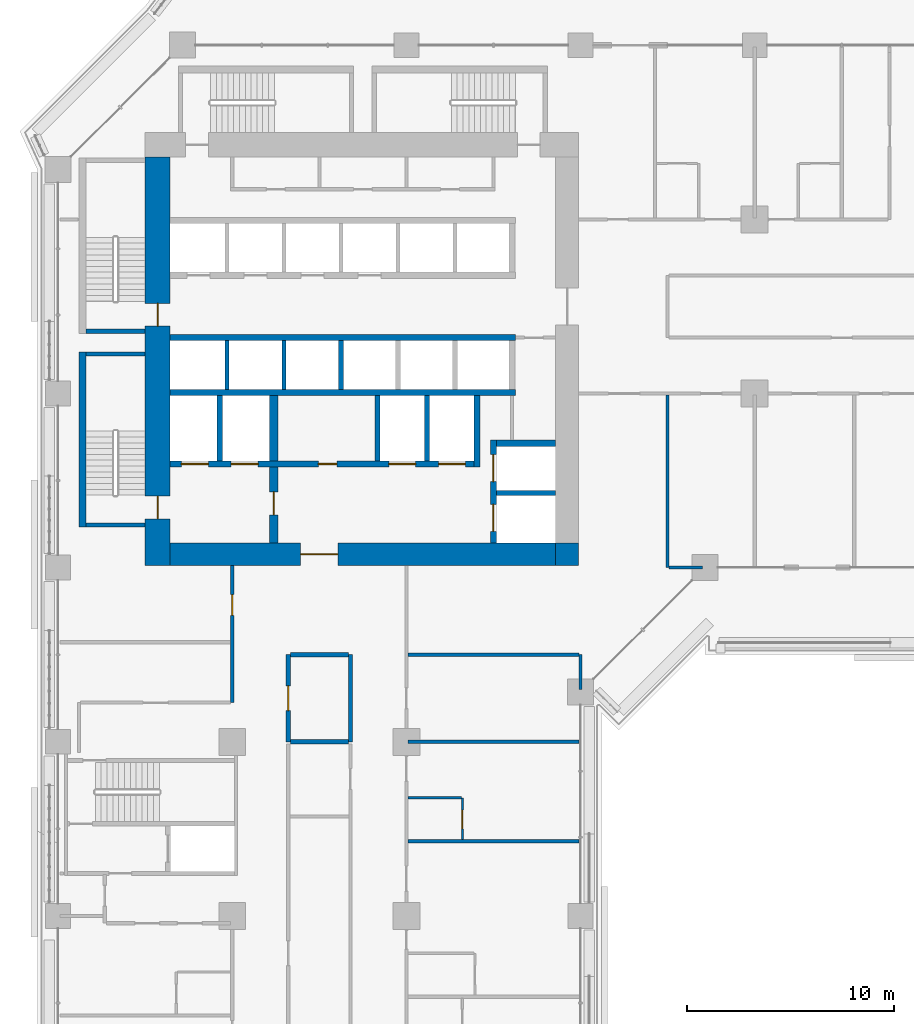
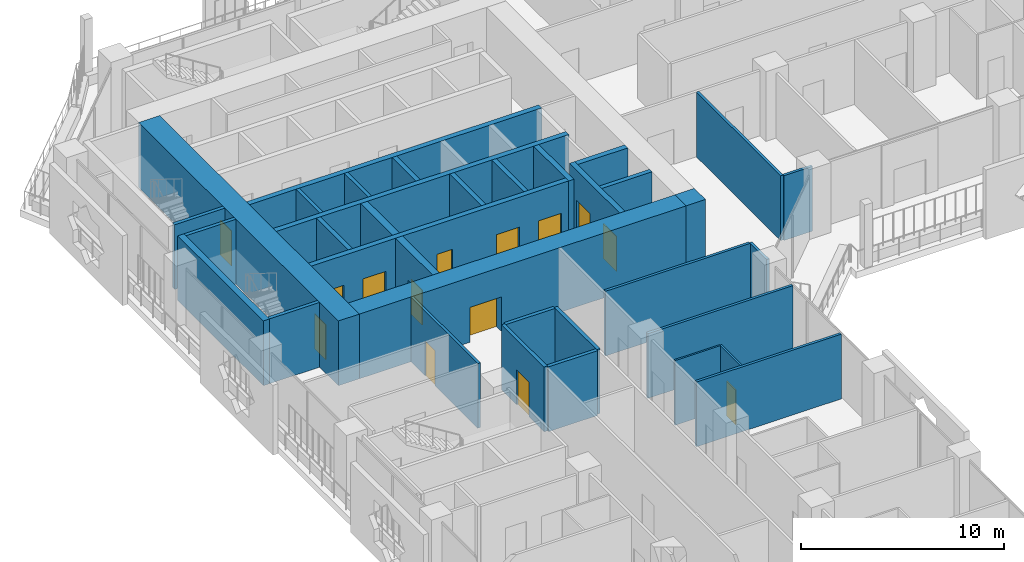
# One storey, part 15 of 28: 35 walls, 14 doors, 14 openings.
"""IFC4 building model written with IfcOpenShell, lengths in metres."""

from ifc_helpers import new_model, si_unit, direction, frame, frame_2d, origin, place, context, subcontext, project, spatial, rectangle, extrude, material, layer, layer_set, type_object, element, fill, save


model = new_model("IFC4")

# Units and contexts
model_context = context("Model", 3, precision=1e-05, world=origin(), true_north=direction((0.0, 1.0)))
body_context = subcontext(model_context, "Body", "Model", "MODEL_VIEW")
ifc_project = project(units=[si_unit("LENGTHUNIT", "METRE"), si_unit("AREAUNIT", "SQUARE_METRE"), si_unit("VOLUMEUNIT", "CUBIC_METRE"), si_unit("PLANEANGLEUNIT", "RADIAN"), si_unit("MASSUNIT", "GRAM", prefix="KILO")], contexts=[model_context])

# Site, building, storey
site_placement = place(None, origin())
site = spatial("IfcSite", under=ifc_project, at=site_placement, CompositionType="ELEMENT")
building_placement = place(site_placement, origin())
building = spatial("IfcBuilding", under=site, at=building_placement, Name="Kawkab Arch Medical Tower", CompositionType="ELEMENT")
storey_placement = place(building_placement, frame((0.0, 0.0, 81.199951171875)))
storey = spatial("IfcBuildingStorey", under=building, at=storey_placement, Name="L18", CompositionType="ELEMENT", Elevation=81.199951171875)

# Wall, opening, door
ifc_material_1 = material(Name="Concrete C60/75", Category="concrete")
ifc_layer_1 = layer(ifc_material_1, 1.10009765625)
ifc_layer_set_1 = layer_set([ifc_layer_1], Name="Concrete C60/75")
wall_type_1 = type_object("IfcWallType", Name="Core ring wall 1100 C60/75", PredefinedType="SHEAR", material=ifc_layer_set_1)
wall_1_placement = place(storey_placement, frame((5.39990234375, -24.550048828125, 0.0), z_axis=(0.0, 0.0, 1.0), x_axis=(1.0, 0.0, 0.0)))
wall_1 = element("IfcWall", 1, at=wall_1_placement, inside=storey, type_object=wall_type_1, Name="L18 core wall", PredefinedType="SHEAR", context=body_context, shape_type="SweptSolid", body=[
    extrude(rectangle(XDim=18.60009765625, YDim=1.10009765625, at=frame_2d((9.300048828125, 0.0))), origin(), (0.0, 0.0, 1.0), 3.900146484375),
])
opening_1_placement = place(wall_1_placement, frame((6.300048828125, 0.0, 0.0)))
opening_1 = element("IfcOpeningElement", 2, at=opening_1_placement, cuts=wall_1, Name="Opening PD", PredefinedType="OPENING", context=body_context, shape_type="SweptSolid", body=[
    extrude(rectangle(XDim=1.800048828125, YDim=2.10009765625, at=frame_2d((0.89990234375, 1.050048828125))), frame((0.0, 0.56005859375, 0.0), z_axis=(0.0, -1.0, 0.0), x_axis=(1.0, 0.0, 0.0)), (0.0, 0.0, 1.0), 1.1201171875),
])
ifc_material_2 = material(Name="Hollow metal fire door leaf")
door_type_1 = type_object("IfcDoorType", Name="Core entrance doors 1800", OperationType="DOUBLE_DOOR_SINGLE_SWING", PredefinedType="DOOR", material=ifc_material_2)
door_1_placement = place(opening_1_placement, origin())
door_1 = element("IfcDoor", 3, at=door_1_placement, inside=storey, type_object=door_type_1, Name="L18 South entrance doors", OperationType="DOUBLE_DOOR_SINGLE_SWING", OverallHeight=2.10009765625, OverallWidth=1.800048828125, PredefinedType="DOOR", context=body_context, shape_type="SweptSolid", body=[
    extrude(rectangle(XDim=1.800048828125, YDim=2.10009765625, at=frame_2d((0.89990234375, 1.050048828125))), frame((0.0, 0.02490234375, 0.0), z_axis=(0.0, -1.0, 0.0), x_axis=(1.0, 0.0, 0.0)), (0.0, 0.0, 1.0), 0.050048828125),
])
fill(opening_1, door_1)

# Wall
wall_2_placement = place(storey_placement, frame((24.550048828125, -25.10009765625, 0.0), z_axis=(0.0, 0.0, 1.0), x_axis=(0.0, 1.0, 0.0)))
element("IfcWall", 4, at=wall_2_placement, inside=storey, type_object=wall_type_1, Name="L18 core wall", PredefinedType="SHEAR", context=body_context, shape_type="SweptSolid", body=[
    extrude(rectangle(XDim=1.10009765625, YDim=1.10009765625, at=frame_2d((0.550048828125, 0.0))), origin(), (0.0, 0.0, 1.0), 3.900146484375),
])

# Wall, openings, doors
ifc_material_3 = material(Name="Concrete C60/75", Category="concrete")
ifc_layer_2 = layer(ifc_material_3, 1.199951171875)
ifc_layer_set_2 = layer_set([ifc_layer_2], Name="Concrete C60/75")
wall_type_2 = type_object("IfcWallType", Name="Core ring wall 1200 C60/75", PredefinedType="SHEAR", material=ifc_layer_set_2)
wall_3_placement = place(storey_placement, frame((4.800048828125, -25.10009765625, 0.0), z_axis=(0.0, 0.0, 1.0), x_axis=(0.0, 1.0, 0.0)))
wall_3 = element("IfcWall", 5, at=wall_3_placement, inside=storey, type_object=wall_type_2, Name="L18 core wall", PredefinedType="SHEAR", context=body_context, shape_type="SweptSolid", body=[
    extrude(rectangle(XDim=19.7001953125, YDim=1.199951171875, at=frame_2d((9.85009765625, 0.0))), origin(), (0.0, 0.0, 1.0), 3.900146484375),
])
opening_2_placement = place(wall_3_placement, frame((11.550048828125, 0.0, 0.0)))
opening_2 = element("IfcOpeningElement", 6, at=opening_2_placement, cuts=wall_3, Name="Opening SD", PredefinedType="OPENING", context=body_context, shape_type="SweptSolid", body=[
    extrude(rectangle(XDim=1.10009765625, YDim=2.10009765625, at=frame_2d((0.550048828125, 1.050048828125))), frame((0.0, 0.60986328125, 0.0), z_axis=(0.0, -1.0, 0.0), x_axis=(1.0, 0.0, 0.0)), (0.0, 0.0, 1.0), 1.219970703125),
])
opening_3_placement = place(wall_3_placement, frame((2.25, 0.0, 0.0)))
opening_3 = element("IfcOpeningElement", 7, at=opening_3_placement, cuts=wall_3, Name="Opening SD", PredefinedType="OPENING", context=body_context, shape_type="SweptSolid", body=[
    extrude(rectangle(XDim=1.10009765625, YDim=2.10009765625, at=frame_2d((0.550048828125, 1.050048828125))), frame((0.0, 0.60986328125, 0.0), z_axis=(0.0, -1.0, 0.0), x_axis=(1.0, 0.0, 0.0)), (0.0, 0.0, 1.0), 1.219970703125),
])
ifc_material_4 = material(Name="Hollow metal fire door leaf")
door_type_2 = type_object("IfcDoorType", Name="Exit stair door 1100", OperationType="SINGLE_SWING_LEFT", PredefinedType="DOOR", material=ifc_material_4)
door_2_placement = place(opening_2_placement, origin())
door_2 = element("IfcDoor", 8, at=door_2_placement, inside=storey, type_object=door_type_2, Name="L18 Exit stair ST1 door", OperationType="SINGLE_SWING_LEFT", OverallHeight=2.10009765625, OverallWidth=1.10009765625, PredefinedType="DOOR", context=body_context, shape_type="SweptSolid", body=[
    extrude(rectangle(XDim=1.10009765625, YDim=2.10009765625, at=frame_2d((0.550048828125, 1.050048828125))), frame((0.0, 0.02490234375, 0.0), z_axis=(0.0, -1.0, 0.0), x_axis=(1.0, 0.0, 0.0)), (0.0, 0.0, 1.0), 0.050048828125),
])
fill(opening_2, door_2)
door_3_placement = place(opening_3_placement, origin())
door_3 = element("IfcDoor", 9, at=door_3_placement, inside=storey, type_object=door_type_2, Name="L18 Exit stair ST2 door", OperationType="SINGLE_SWING_LEFT", OverallHeight=2.10009765625, OverallWidth=1.10009765625, PredefinedType="DOOR", context=body_context, shape_type="SweptSolid", body=[
    extrude(rectangle(XDim=1.10009765625, YDim=2.10009765625, at=frame_2d((0.550048828125, 1.050048828125))), frame((0.0, 0.02490234375, 0.0), z_axis=(0.0, -1.0, 0.0), x_axis=(1.0, 0.0, 0.0)), (0.0, 0.0, 1.0), 0.050048828125),
])
fill(opening_3, door_3)

# Walls
ifc_material_5 = material(Name="Concrete C60/75", Category="concrete")
ifc_layer_3 = layer(ifc_material_5, 0.25)
ifc_layer_set_3 = layer_set([ifc_layer_3], Name="Concrete C60/75")
wall_type_3 = type_object("IfcWallType", Name="Core shear wall 250 C60/75", PredefinedType="SHEAR", material=ifc_layer_set_3)
wall_4_placement = place(storey_placement, frame((21.14990234375, -21.60009765625, 0.0), z_axis=(0.0, 0.0, 1.0), x_axis=(1.0, 0.0, 0.0)))
element("IfcWall", 10, at=wall_4_placement, inside=storey, type_object=wall_type_3, Name="L18 core shear wall", PredefinedType="SHEAR", context=body_context, shape_type="SweptSolid", body=[
    extrude(rectangle(XDim=2.85009765625, YDim=0.25, at=frame_2d((1.425048828125, 0.0))), origin(), (0.0, 0.0, 1.0), 3.900146484375),
])
for number, where, z_axis, x_axis, name in (
    (11, (7.800048828125, -20.050048828125, 0.0), (0.0, 0.0, 1.0), (0.0, 1.0, 0.0), "L18 core shear wall"),
    (12, (15.39990234375, -20.050048828125, 0.0), (0.0, 0.0, 1.0), (0.0, 1.0, 0.0), "L18 core shear wall"),
    (13, (17.800048828125, -20.050048828125, 0.0), (0.0, 0.0, 1.0), (0.0, 1.0, 0.0), "L18 core shear wall"),
):
    element("IfcWall", number, at=place(storey_placement, frame(where, z_axis=z_axis, x_axis=x_axis)), inside=storey, type_object=wall_type_3, Name=name, PredefinedType="SHEAR", context=body_context, shape_type="SweptSolid", body=[
        extrude(rectangle(XDim=3.150146484375, YDim=0.25, at=frame_2d((1.5751953125, 0.0))), origin(), (0.0, 0.0, 1.0), 3.900146484375),
    ])
wall_5_placement = place(storey_placement, frame((13.64990234375, -16.60009765625, 0.0), z_axis=(0.0, 0.0, 1.0), x_axis=(0.0, 1.0, 0.0)))
element("IfcWall", 14, at=wall_5_placement, inside=storey, type_object=wall_type_3, Name="L18 core shear wall", PredefinedType="SHEAR", context=body_context, shape_type="SweptSolid", body=[
    extrude(rectangle(XDim=2.35009765625, YDim=0.25, at=frame_2d((1.175048828125, 0.0))), origin(), (0.0, 0.0, 1.0), 3.900146484375),
])
ifc_material_6 = material(Name="Concrete C60/75", Category="concrete")
ifc_layer_4 = layer(ifc_material_6, 0.300048828125)
ifc_layer_set_4 = layer_set([ifc_layer_4], Name="Concrete C60/75")
wall_type_4 = type_object("IfcWallType", Name="Core shear wall 300 C60/75", PredefinedType="SHEAR", material=ifc_layer_set_4)
for number, where, z_axis, x_axis, name in (
    (15, (5.39990234375, -14.10009765625, 0.0), (0.0, 0.0, 1.0), (1.0, 0.0, 0.0), "L18 core shear wall"),
    (16, (5.39990234375, -16.75, 0.0), (0.0, 0.0, 1.0), (1.0, 0.0, 0.0), "L18 core shear wall"),
):
    element("IfcWall", number, at=place(storey_placement, frame(where, z_axis=z_axis, x_axis=x_axis)), inside=storey, type_object=wall_type_4, Name=name, PredefinedType="SHEAR", context=body_context, shape_type="SweptSolid", body=[
        extrude(rectangle(XDim=16.650146484375, YDim=0.300048828125, at=frame_2d((8.3251953125, 0.0))), origin(), (0.0, 0.0, 1.0), 3.900146484375),
    ])

# Wall, openings, doors
wall_6_placement = place(storey_placement, frame((5.39990234375, -20.199951171875, 0.0), z_axis=(0.0, 0.0, 1.0), x_axis=(1.0, 0.0, 0.0)))
wall_6 = element("IfcWall", 17, at=wall_6_placement, inside=storey, type_object=wall_type_4, Name="L18 core shear wall", PredefinedType="SHEAR", context=body_context, shape_type="SweptSolid", body=[
    extrude(rectangle(XDim=14.650146484375, YDim=0.300048828125, at=frame_2d((7.3251953125, 0.0))), origin(), (0.0, 0.0, 1.0), 3.900146484375),
])
opening_4_placement = place(wall_6_placement, frame((10.550048828125, 0.0, 0.0)))
opening_4 = element("IfcOpeningElement", 18, at=opening_4_placement, cuts=wall_6, Name="Opening LD2", PredefinedType="OPENING", context=body_context, shape_type="SweptSolid", body=[
    extrude(rectangle(XDim=1.300048828125, YDim=2.10009765625, at=frame_2d((0.64990234375, 1.050048828125))), frame((0.0, 0.159912109375, 0.0), z_axis=(0.0, -1.0, 0.0), x_axis=(1.0, 0.0, 0.0)), (0.0, 0.0, 1.0), 0.320068359375),
])
opening_5_placement = place(wall_6_placement, frame((12.949951171875, 0.0, 0.0)))
opening_5 = element("IfcOpeningElement", 19, at=opening_5_placement, cuts=wall_6, Name="Opening LD2", PredefinedType="OPENING", context=body_context, shape_type="SweptSolid", body=[
    extrude(rectangle(XDim=1.300048828125, YDim=2.10009765625, at=frame_2d((0.64990234375, 1.050048828125))), frame((0.0, 0.159912109375, 0.0), z_axis=(0.0, -1.0, 0.0), x_axis=(1.0, 0.0, 0.0)), (0.0, 0.0, 1.0), 0.320068359375),
])
opening_6_placement = place(wall_6_placement, frame((0.550048828125, 0.0, 0.0)))
opening_6 = element("IfcOpeningElement", 20, at=opening_6_placement, cuts=wall_6, Name="Opening LD2", PredefinedType="OPENING", context=body_context, shape_type="SweptSolid", body=[
    extrude(rectangle(XDim=1.300048828125, YDim=2.10009765625, at=frame_2d((0.64990234375, 1.050048828125))), frame((0.0, 0.159912109375, 0.0), z_axis=(0.0, -1.0, 0.0), x_axis=(1.0, 0.0, 0.0)), (0.0, 0.0, 1.0), 0.320068359375),
])
opening_7_placement = place(wall_6_placement, frame((2.949951171875, 0.0, 0.0)))
opening_7 = element("IfcOpeningElement", 21, at=opening_7_placement, cuts=wall_6, Name="Opening LD2", PredefinedType="OPENING", context=body_context, shape_type="SweptSolid", body=[
    extrude(rectangle(XDim=1.300048828125, YDim=2.10009765625, at=frame_2d((0.64990234375, 1.050048828125))), frame((0.0, 0.159912109375, 0.0), z_axis=(0.0, -1.0, 0.0), x_axis=(1.0, 0.0, 0.0)), (0.0, 0.0, 1.0), 0.320068359375),
])
opening_8_placement = place(wall_6_placement, frame((7.14990234375, 0.0, 0.0)))
opening_8 = element("IfcOpeningElement", 22, at=opening_8_placement, cuts=wall_6, Name="Opening RD", PredefinedType="OPENING", context=body_context, shape_type="SweptSolid", body=[
    extrude(rectangle(XDim=0.89990234375, YDim=2.10009765625, at=frame_2d((0.449951171875, 1.050048828125))), frame((0.0, 0.159912109375, 0.0), z_axis=(0.0, -1.0, 0.0), x_axis=(1.0, 0.0, 0.0)), (0.0, 0.0, 1.0), 0.320068359375),
])
ifc_material_7 = material(Name="Hollow metal fire door leaf")
door_type_3 = type_object("IfcDoorType", Name="Core room door 900", OperationType="SINGLE_SWING_LEFT", PredefinedType="DOOR", material=ifc_material_7)
door_4_placement = place(opening_8_placement, origin())
door_4 = element("IfcDoor", 23, at=door_4_placement, inside=storey, type_object=door_type_3, Name="L18 General store door", OperationType="SINGLE_SWING_LEFT", OverallHeight=2.10009765625, OverallWidth=0.89990234375, PredefinedType="DOOR", context=body_context, shape_type="SweptSolid", body=[
    extrude(rectangle(XDim=0.89990234375, YDim=2.10009765625, at=frame_2d((0.449951171875, 1.050048828125))), frame((0.0, 0.02490234375, 0.0), z_axis=(0.0, -1.0, 0.0), x_axis=(1.0, 0.0, 0.0)), (0.0, 0.0, 1.0), 0.050048828125),
])
fill(opening_8, door_4)
ifc_material_8 = material(Name="Stainless steel lift door leaf", Category="steel")
door_type_4 = type_object("IfcDoorType", Name="Lift landing door 1300", OperationType="DOUBLE_DOOR_SLIDING", PredefinedType="DOOR", material=ifc_material_8)
door_5_placement = place(opening_4_placement, origin())
door_5 = element("IfcDoor", 24, at=door_5_placement, inside=storey, type_object=door_type_4, Name="L18 Lift landing door BD3", OperationType="DOUBLE_DOOR_SLIDING", OverallHeight=2.10009765625, OverallWidth=1.300048828125, PredefinedType="DOOR", context=body_context, shape_type="SweptSolid", body=[
    extrude(rectangle(XDim=1.300048828125, YDim=2.10009765625, at=frame_2d((0.64990234375, 1.050048828125))), frame((0.0, 0.02490234375, 0.0), z_axis=(0.0, -1.0, 0.0), x_axis=(1.0, 0.0, 0.0)), (0.0, 0.0, 1.0), 0.050048828125),
])
fill(opening_4, door_5)
door_6_placement = place(opening_5_placement, origin())
door_6 = element("IfcDoor", 25, at=door_6_placement, inside=storey, type_object=door_type_4, Name="L18 Lift landing door BD4", OperationType="DOUBLE_DOOR_SLIDING", OverallHeight=2.10009765625, OverallWidth=1.300048828125, PredefinedType="DOOR", context=body_context, shape_type="SweptSolid", body=[
    extrude(rectangle(XDim=1.300048828125, YDim=2.10009765625, at=frame_2d((0.64990234375, 1.050048828125))), frame((0.0, 0.02490234375, 0.0), z_axis=(0.0, -1.0, 0.0), x_axis=(1.0, 0.0, 0.0)), (0.0, 0.0, 1.0), 0.050048828125),
])
fill(opening_5, door_6)
door_7_placement = place(opening_6_placement, origin())
door_7 = element("IfcDoor", 26, at=door_7_placement, inside=storey, type_object=door_type_4, Name="L18 Lift landing door FL1", OperationType="DOUBLE_DOOR_SLIDING", OverallHeight=2.10009765625, OverallWidth=1.300048828125, PredefinedType="DOOR", context=body_context, shape_type="SweptSolid", body=[
    extrude(rectangle(XDim=1.300048828125, YDim=2.10009765625, at=frame_2d((0.64990234375, 1.050048828125))), frame((0.0, 0.02490234375, 0.0), z_axis=(0.0, -1.0, 0.0), x_axis=(1.0, 0.0, 0.0)), (0.0, 0.0, 1.0), 0.050048828125),
])
fill(opening_6, door_7)
door_8_placement = place(opening_7_placement, origin())
door_8 = element("IfcDoor", 27, at=door_8_placement, inside=storey, type_object=door_type_4, Name="L18 Lift landing door FL2", OperationType="DOUBLE_DOOR_SLIDING", OverallHeight=2.10009765625, OverallWidth=1.300048828125, PredefinedType="DOOR", context=body_context, shape_type="SweptSolid", body=[
    extrude(rectangle(XDim=1.300048828125, YDim=2.10009765625, at=frame_2d((0.64990234375, 1.050048828125))), frame((0.0, 0.02490234375, 0.0), z_axis=(0.0, -1.0, 0.0), x_axis=(1.0, 0.0, 0.0)), (0.0, 0.0, 1.0), 0.050048828125),
])
fill(opening_7, door_8)

# Walls
wall_7_placement = place(storey_placement, frame((20.199951171875, -20.35009765625, 0.0), z_axis=(0.0, 0.0, 1.0), x_axis=(0.0, 1.0, 0.0)))
element("IfcWall", 28, at=wall_7_placement, inside=storey, type_object=wall_type_4, Name="L18 core shear wall", PredefinedType="SHEAR", context=body_context, shape_type="SweptSolid", body=[
    extrude(rectangle(XDim=3.4501953125, YDim=0.300048828125, at=frame_2d((1.72509765625, 0.0))), origin(), (0.0, 0.0, 1.0), 3.900146484375),
])
wall_8_placement = place(storey_placement, frame((21.14990234375, -19.199951171875, 0.0), z_axis=(0.0, 0.0, 1.0), x_axis=(1.0, 0.0, 0.0)))
element("IfcWall", 29, at=wall_8_placement, inside=storey, type_object=wall_type_4, Name="L18 core shear wall", PredefinedType="SHEAR", context=body_context, shape_type="SweptSolid", body=[
    extrude(rectangle(XDim=2.85009765625, YDim=0.300048828125, at=frame_2d((1.425048828125, 0.0))), origin(), (0.0, 0.0, 1.0), 3.900146484375),
])

# Wall, openings, doors
wall_9_placement = place(storey_placement, frame((21.0, -24.0, 0.0), z_axis=(0.0, 0.0, 1.0), x_axis=(0.0, 1.0, 0.0)))
wall_9 = element("IfcWall", 30, at=wall_9_placement, inside=storey, type_object=wall_type_4, Name="L18 core shear wall", PredefinedType="SHEAR", context=body_context, shape_type="SweptSolid", body=[
    extrude(rectangle(XDim=4.949951171875, YDim=0.300048828125, at=frame_2d((2.47509765625, 0.0))), origin(), (0.0, 0.0, 1.0), 3.900146484375),
])
opening_9_placement = place(wall_9_placement, frame((2.949951171875, 0.0, 0.0)))
opening_9 = element("IfcOpeningElement", 31, at=opening_9_placement, cuts=wall_9, Name="Opening LD2", PredefinedType="OPENING", context=body_context, shape_type="SweptSolid", body=[
    extrude(rectangle(XDim=1.300048828125, YDim=2.10009765625, at=frame_2d((0.64990234375, 1.050048828125))), frame((0.0, 0.159912109375, 0.0), z_axis=(0.0, -1.0, 0.0), x_axis=(1.0, 0.0, 0.0)), (0.0, 0.0, 1.0), 0.320068359375),
])
opening_10_placement = place(wall_9_placement, frame((0.550048828125, 0.0, 0.0)))
opening_10 = element("IfcOpeningElement", 32, at=opening_10_placement, cuts=wall_9, Name="Opening LD2", PredefinedType="OPENING", context=body_context, shape_type="SweptSolid", body=[
    extrude(rectangle(XDim=1.300048828125, YDim=2.10009765625, at=frame_2d((0.64990234375, 1.050048828125))), frame((0.0, 0.159912109375, 0.0), z_axis=(0.0, -1.0, 0.0), x_axis=(1.0, 0.0, 0.0)), (0.0, 0.0, 1.0), 0.320068359375),
])
door_9_placement = place(opening_9_placement, origin())
door_9 = element("IfcDoor", 33, at=door_9_placement, inside=storey, type_object=door_type_4, Name="L18 Lift landing door BD1", OperationType="DOUBLE_DOOR_SLIDING", OverallHeight=2.10009765625, OverallWidth=1.300048828125, PredefinedType="DOOR", context=body_context, shape_type="SweptSolid", body=[
    extrude(rectangle(XDim=1.300048828125, YDim=2.10009765625, at=frame_2d((0.64990234375, 1.050048828125))), frame((0.0, 0.02490234375, 0.0), z_axis=(0.0, -1.0, 0.0), x_axis=(1.0, 0.0, 0.0)), (0.0, 0.0, 1.0), 0.050048828125),
])
fill(opening_9, door_9)
door_10_placement = place(opening_10_placement, origin())
door_10 = element("IfcDoor", 34, at=door_10_placement, inside=storey, type_object=door_type_4, Name="L18 Lift landing door BD2", OperationType="DOUBLE_DOOR_SLIDING", OverallHeight=2.10009765625, OverallWidth=1.300048828125, PredefinedType="DOOR", context=body_context, shape_type="SweptSolid", body=[
    extrude(rectangle(XDim=1.300048828125, YDim=2.10009765625, at=frame_2d((0.64990234375, 1.050048828125))), frame((0.0, 0.02490234375, 0.0), z_axis=(0.0, -1.0, 0.0), x_axis=(1.0, 0.0, 0.0)), (0.0, 0.0, 1.0), 0.050048828125),
])
fill(opening_10, door_10)

# Wall, opening, door
ifc_material_9 = material(Name="Concrete C60/75", Category="concrete")
ifc_layer_5 = layer(ifc_material_9, 0.39990234375)
ifc_layer_set_5 = layer_set([ifc_layer_5], Name="Concrete C60/75")
wall_type_5 = type_object("IfcWallType", Name="Core shear wall 400 C60/75", PredefinedType="SHEAR", material=ifc_layer_set_5)
wall_10_placement = place(storey_placement, frame((10.39990234375, -24.0, 0.0), z_axis=(0.0, 0.0, 1.0), x_axis=(0.0, 1.0, 0.0)))
wall_10 = element("IfcWall", 35, at=wall_10_placement, inside=storey, type_object=wall_type_5, Name="L18 core shear wall", PredefinedType="SHEAR", context=body_context, shape_type="SweptSolid", body=[
    extrude(rectangle(XDim=3.64990234375, YDim=0.39990234375, at=frame_2d((1.824951171875, 0.0))), origin(), (0.0, 0.0, 1.0), 3.900146484375),
])
opening_11_placement = place(wall_10_placement, frame((1.35009765625, 0.0, 0.0)))
opening_11 = element("IfcOpeningElement", 36, at=opening_11_placement, cuts=wall_10, Name="Opening FD", PredefinedType="OPENING", context=body_context, shape_type="SweptSolid", body=[
    extrude(rectangle(XDim=1.10009765625, YDim=2.10009765625, at=frame_2d((0.550048828125, 1.050048828125))), frame((0.0, 0.2099609375, 0.0), z_axis=(0.0, -1.0, 0.0), x_axis=(1.0, 0.0, 0.0)), (0.0, 0.0, 1.0), 0.419921875),
])
ifc_material_10 = material(Name="Hollow metal fire door leaf")
door_type_5 = type_object("IfcDoorType", Name="Firefighting lobby door 1100", OperationType="SINGLE_SWING_LEFT", PredefinedType="DOOR", material=ifc_material_10)
door_11_placement = place(opening_11_placement, origin())
door_11 = element("IfcDoor", 37, at=door_11_placement, inside=storey, type_object=door_type_5, Name="L18 Firefighting lobby door", OperationType="SINGLE_SWING_LEFT", OverallHeight=2.10009765625, OverallWidth=1.10009765625, PredefinedType="DOOR", context=body_context, shape_type="SweptSolid", body=[
    extrude(rectangle(XDim=1.10009765625, YDim=2.10009765625, at=frame_2d((0.550048828125, 1.050048828125))), frame((0.0, 0.02490234375, 0.0), z_axis=(0.0, -1.0, 0.0), x_axis=(1.0, 0.0, 0.0)), (0.0, 0.0, 1.0), 0.050048828125),
])
fill(opening_11, door_11)

# Walls
wall_11_placement = place(storey_placement, frame((10.39990234375, -20.050048828125, 0.0), z_axis=(0.0, 0.0, 1.0), x_axis=(0.0, 1.0, 0.0)))
element("IfcWall", 38, at=wall_11_placement, inside=storey, type_object=wall_type_5, Name="L18 core shear wall", PredefinedType="SHEAR", context=body_context, shape_type="SweptSolid", body=[
    extrude(rectangle(XDim=3.150146484375, YDim=0.39990234375, at=frame_2d((1.5751953125, 0.0))), origin(), (0.0, 0.0, 1.0), 3.900146484375),
])
ifc_material_11 = material(Name="Dense concrete blockwork", Category="masonry")
ifc_layer_6 = layer(ifc_material_11, 0.199951171875)
ifc_layer_set_6 = layer_set([ifc_layer_6], Name="Dense concrete blockwork")
wall_type_6 = type_object("IfcWallType", Name="Lift shaft partition 200", PredefinedType="PARTITIONING", material=ifc_layer_set_6)
for number, where, z_axis, x_axis, name in (
    (39, (8.14990234375, -16.60009765625, 0.0), (0.0, 0.0, 1.0), (0.0, 1.0, 0.0), "L18 lift shaft partition"),
    (40, (10.89990234375, -16.60009765625, 0.0), (0.0, 0.0, 1.0), (0.0, 1.0, 0.0), "L18 lift shaft partition"),
):
    element("IfcWall", number, at=place(storey_placement, frame(where, z_axis=z_axis, x_axis=x_axis)), inside=storey, type_object=wall_type_6, Name=name, PredefinedType="PARTITIONING", context=body_context, shape_type="SweptSolid", body=[
        extrude(rectangle(XDim=2.35009765625, YDim=0.199951171875, at=frame_2d((1.175048828125, 0.0))), origin(), (0.0, 0.0, 1.0), 3.900146484375),
    ])
ifc_material_12 = material(Name="Gypsum board partition on steel studs", Category="steel")
ifc_layer_7 = layer(ifc_material_12, 0.10009765625)
ifc_layer_set_7 = layer_set([ifc_layer_7], Name="Gypsum board partition on steel studs")
wall_type_7 = type_object("IfcWallType", Name="Partition 100", PredefinedType="PARTITIONING", material=ifc_layer_set_7)
wall_12_placement = place(storey_placement, frame((16.875, -36.300048828125, 0.0), z_axis=(0.0, 0.0, 1.0), x_axis=(1.0, 0.0, 0.0)))
element("IfcWall", 41, at=wall_12_placement, inside=storey, type_object=wall_type_7, Name="Partition 100 w009", PredefinedType="PARTITIONING", context=body_context, shape_type="SweptSolid", body=[
    extrude(rectangle(XDim=2.574951171875, YDim=0.10009765625, at=frame_2d((1.28759765625, 0.0))), origin(), (0.0, 0.0, 1.0), 3.900146484375),
])

# Wall, opening, door
wall_13_placement = place(storey_placement, frame((19.5, -38.324951171875, 0.0), z_axis=(0.0, 0.0, 1.0), x_axis=(0.0, 1.0, 0.0)))
wall_13 = element("IfcWall", 42, at=wall_13_placement, inside=storey, type_object=wall_type_7, Name="Partition 100 w024", PredefinedType="PARTITIONING", context=body_context, shape_type="SweptSolid", body=[
    extrude(rectangle(XDim=2.02490234375, YDim=0.10009765625, at=frame_2d((1.012451171875, 0.0))), origin(), (0.0, 0.0, 1.0), 3.900146484375),
])
opening_12_placement = place(wall_13_placement, frame((0.52490234375, 0.0, 0.0)))
opening_12 = element("IfcOpeningElement", 43, at=opening_12_placement, cuts=wall_13, Name="Opening W18-018", PredefinedType="OPENING", context=body_context, shape_type="SweptSolid", body=[
    extrude(rectangle(XDim=0.89990234375, YDim=2.10009765625, at=frame_2d((0.449951171875, 1.050048828125))), frame((0.0, 0.06005859375, 0.0), z_axis=(0.0, -1.0, 0.0), x_axis=(1.0, 0.0, 0.0)), (0.0, 0.0, 1.0), 0.1201171875),
])
ifc_material_13 = material(Name="Timber door leaf", Category="wood")
door_type_6 = type_object("IfcDoorType", Name="Single door 900x2100", OperationType="NOTDEFINED", PredefinedType="DOOR", material=ifc_material_13)
door_12_placement = place(opening_12_placement, origin())
door_12 = element("IfcDoor", 44, at=door_12_placement, inside=storey, type_object=door_type_6, Name="Door W18-018", OperationType="SINGLE_SWING_LEFT", OverallHeight=2.10009765625, OverallWidth=0.89990234375, PredefinedType="DOOR", context=body_context, shape_type="SweptSolid", body=[
    extrude(rectangle(XDim=0.89990234375, YDim=2.10009765625, at=frame_2d((0.449951171875, 1.050048828125))), frame((0.0, 0.02490234375, 0.0), z_axis=(0.0, -1.0, 0.0), x_axis=(1.0, 0.0, 0.0)), (0.0, 0.0, 1.0), 0.050048828125),
])
fill(opening_12, door_12)

# Walls
ifc_material_14 = material(Name="Gypsum board partition on steel studs, mineral wool", Category="steel")
ifc_layer_8 = layer(ifc_material_14, 0.14990234375)
ifc_layer_set_8 = layer_set([ifc_layer_8], Name="Gypsum board partition on steel studs, mineral wool")
wall_type_8 = type_object("IfcWallType", Name="Partition 150", PredefinedType="PARTITIONING", material=ifc_layer_set_8)
for number, where, z_axis, x_axis, name in (
    (45, (16.875, -38.39990234375, 0.0), (0.0, 0.0, 1.0), (1.0, 0.0, 0.0), "Partition 150 w052"),
    (46, (16.875, -33.60009765625, 0.0), (0.0, 0.0, 1.0), (1.0, 0.0, 0.0), "Partition 150 w054"),
):
    element("IfcWall", number, at=place(storey_placement, frame(where, z_axis=z_axis, x_axis=x_axis)), inside=storey, type_object=wall_type_8, Name=name, PredefinedType="PARTITIONING", context=body_context, shape_type="SweptSolid", body=[
        extrude(rectangle(XDim=8.2451171875, YDim=0.14990234375, at=frame_2d((4.12255859375, 0.0))), origin(), (0.0, 0.0, 1.0), 3.900146484375),
    ])
wall_14_placement = place(storey_placement, frame((16.875, -29.39990234375, 0.0), z_axis=(0.0, 0.0, 1.0), x_axis=(1.0, 0.0, 0.0)))
element("IfcWall", 47, at=wall_14_placement, inside=storey, type_object=wall_type_8, Name="Partition 150 w056", PredefinedType="PARTITIONING", context=body_context, shape_type="SweptSolid", body=[
    extrude(rectangle(XDim=8.25, YDim=0.14990234375, at=frame_2d((4.125, 0.0))), origin(), (0.0, 0.0, 1.0), 3.900146484375),
])
wall_15_placement = place(storey_placement, frame((29.47509765625, -25.199951171875, 0.0), z_axis=(0.0, 0.0, 1.0), x_axis=(1.0, 0.0, 0.0)))
element("IfcWall", 48, at=wall_15_placement, inside=storey, type_object=wall_type_8, Name="Partition 150 w058", PredefinedType="PARTITIONING", context=body_context, shape_type="SweptSolid", body=[
    extrude(rectangle(XDim=1.61181640625, YDim=0.14990234375, at=frame_2d((0.805908203125, 0.0))), origin(), (0.0, 0.0, 1.0), 3.900146484375),
])

# Wall, opening, door
wall_16_placement = place(storey_placement, frame((8.39990234375, -31.70703125, 0.0), z_axis=(0.0, 0.0, 1.0), x_axis=(0.0, 1.0, 0.0)))
wall_16 = element("IfcWall", 49, at=wall_16_placement, inside=storey, type_object=wall_type_8, Name="Partition 150 w073", PredefinedType="PARTITIONING", context=body_context, shape_type="SweptSolid", body=[
    extrude(rectangle(XDim=6.60693359375, YDim=0.14990234375, at=frame_2d((3.303466796875, 0.0))), origin(), (0.0, 0.0, 1.0), 3.900146484375),
])
opening_13_placement = place(wall_16_placement, frame((4.20703125, 0.0, 0.0)))
opening_13 = element("IfcOpeningElement", 50, at=opening_13_placement, cuts=wall_16, Name="Opening W18-036", PredefinedType="OPENING", context=body_context, shape_type="SweptSolid", body=[
    extrude(rectangle(XDim=1.0, YDim=2.10009765625, at=frame_2d((0.5, 1.050048828125))), frame((0.0, 0.0849609375, 0.0), z_axis=(0.0, -1.0, 0.0), x_axis=(1.0, 0.0, 0.0)), (0.0, 0.0, 1.0), 0.169921875),
])
ifc_material_15 = material(Name="Hollow metal door leaf")
door_type_7 = type_object("IfcDoorType", Name="Single door 1000x2100 FD30S", OperationType="NOTDEFINED", PredefinedType="DOOR", material=ifc_material_15)
door_13_placement = place(opening_13_placement, origin())
door_13 = element("IfcDoor", 51, at=door_13_placement, inside=storey, type_object=door_type_7, Name="Door W18-036", OperationType="SINGLE_SWING_RIGHT", OverallHeight=2.10009765625, OverallWidth=1.0, PredefinedType="DOOR", context=body_context, shape_type="SweptSolid", body=[
    extrude(rectangle(XDim=1.0, YDim=2.10009765625, at=frame_2d((0.5, 1.050048828125))), frame((0.0, 0.02490234375, 0.0), z_axis=(0.0, -1.0, 0.0), x_axis=(1.0, 0.0, 0.0)), (0.0, 0.0, 1.0), 0.050048828125),
])
fill(opening_13, door_13)

# Walls
wall_17_placement = place(storey_placement, frame((25.199951171875, -31.0869140625, 0.0), z_axis=(0.0, 0.0, 1.0), x_axis=(0.0, 1.0, 0.0)))
element("IfcWall", 52, at=wall_17_placement, inside=storey, type_object=wall_type_8, Name="Partition 150 w077", PredefinedType="PARTITIONING", context=body_context, shape_type="SweptSolid", body=[
    extrude(rectangle(XDim=1.68701171875, YDim=0.14990234375, at=frame_2d((0.843505859375, 0.0))), origin(), (0.0, 0.0, 1.0), 3.900146484375),
])
wall_18_placement = place(storey_placement, frame((29.39990234375, -25.199951171875, 0.0), z_axis=(0.0, 0.0, 1.0), x_axis=(0.0, 1.0, 0.0)))
element("IfcWall", 53, at=wall_18_placement, inside=storey, type_object=wall_type_8, Name="Partition 150 w079", PredefinedType="PARTITIONING", context=body_context, shape_type="SweptSolid", body=[
    extrude(rectangle(XDim=8.324951171875, YDim=0.14990234375, at=frame_2d((4.16259765625, 0.0))), origin(), (0.0, 0.0, 1.0), 3.900146484375),
])
ifc_material_16 = material(Name="Fire-rated gypsum board partition on steel studs", Category="steel")
ifc_layer_9 = layer(ifc_material_16, 0.199951171875)
ifc_layer_set_9 = layer_set([ifc_layer_9], Name="Fire-rated gypsum board partition on steel studs")
wall_type_9 = type_object("IfcWallType", Name="Protected partition 200", PredefinedType="PARTITIONING", material=ifc_layer_set_9)
for number, where, z_axis, x_axis, name in (
    (54, (11.199951171875, -33.60009765625, 0.0), (0.0, 0.0, 1.0), (1.0, 0.0, 0.0), "Protected partition 200 w107"),
    (55, (11.199951171875, -29.39990234375, 0.0), (0.0, 0.0, 1.0), (1.0, 0.0, 0.0), "Protected partition 200 w108"),
):
    element("IfcWall", number, at=place(storey_placement, frame(where, z_axis=z_axis, x_axis=x_axis)), inside=storey, type_object=wall_type_9, Name=name, PredefinedType="PARTITIONING", context=body_context, shape_type="SweptSolid", body=[
        extrude(rectangle(XDim=2.800048828125, YDim=0.199951171875, at=frame_2d((1.39990234375, 0.0))), origin(), (0.0, 0.0, 1.0), 3.900146484375),
    ])

# Wall, opening, door
wall_19_placement = place(storey_placement, frame((11.10009765625, -33.60009765625, 0.0), z_axis=(0.0, 0.0, 1.0), x_axis=(0.0, 1.0, 0.0)))
wall_19 = element("IfcWall", 56, at=wall_19_placement, inside=storey, type_object=wall_type_9, Name="Protected partition 200 w110", PredefinedType="PARTITIONING", context=body_context, shape_type="SweptSolid", body=[
    extrude(rectangle(XDim=4.2001953125, YDim=0.199951171875, at=frame_2d((2.10009765625, 0.0))), origin(), (0.0, 0.0, 1.0), 3.900146484375),
])
opening_14_placement = place(wall_19_placement, frame((1.5, 0.0, 0.0)))
opening_14 = element("IfcOpeningElement", 57, at=opening_14_placement, cuts=wall_19, Name="Opening W18-071", PredefinedType="OPENING", context=body_context, shape_type="SweptSolid", body=[
    extrude(rectangle(XDim=1.199951171875, YDim=2.10009765625, at=frame_2d((0.60009765625, 1.050048828125))), frame((0.0, 0.10986328125, 0.0), z_axis=(0.0, -1.0, 0.0), x_axis=(1.0, 0.0, 0.0)), (0.0, 0.0, 1.0), 0.219970703125),
])
ifc_material_17 = material(Name="Hollow metal door leaf")
door_type_8 = type_object("IfcDoorType", Name="Single door 1200x2100 FD60", OperationType="NOTDEFINED", PredefinedType="DOOR", material=ifc_material_17)
door_14_placement = place(opening_14_placement, origin())
door_14 = element("IfcDoor", 58, at=door_14_placement, inside=storey, type_object=door_type_8, Name="Door W18-071", OperationType="SINGLE_SWING_RIGHT", OverallHeight=2.10009765625, OverallWidth=1.199951171875, PredefinedType="DOOR", context=body_context, shape_type="SweptSolid", body=[
    extrude(rectangle(XDim=1.199951171875, YDim=2.10009765625, at=frame_2d((0.60009765625, 1.050048828125))), frame((0.0, 0.02490234375, 0.0), z_axis=(0.0, -1.0, 0.0), x_axis=(1.0, 0.0, 0.0)), (0.0, 0.0, 1.0), 0.050048828125),
])
fill(opening_14, door_14)

# Walls
wall_20_placement = place(storey_placement, frame((14.10009765625, -33.60009765625, 0.0), z_axis=(0.0, 0.0, 1.0), x_axis=(0.0, 1.0, 0.0)))
element("IfcWall", 59, at=wall_20_placement, inside=storey, type_object=wall_type_9, Name="Protected partition 200 w112", PredefinedType="PARTITIONING", context=body_context, shape_type="SweptSolid", body=[
    extrude(rectangle(XDim=4.2001953125, YDim=0.199951171875, at=frame_2d((2.10009765625, 0.0))), origin(), (0.0, 0.0, 1.0), 3.900146484375),
])
ifc_material_18 = material(Name="Concrete C50/60", Category="concrete")
ifc_layer_10 = layer(ifc_material_18, 0.199951171875)
ifc_layer_set_10 = layer_set([ifc_layer_10], Name="Concrete C50/60")
wall_type_10 = type_object("IfcWallType", Name="Stair enclosure wall 200 C50/60", PredefinedType="SHEAR", material=ifc_layer_set_10)
for number, where, z_axis, x_axis, name in (
    (60, (1.35009765625, -13.800048828125, 0.0), (0.0, 0.0, 1.0), (1.0, 0.0, 0.0), "L18 stair enclosure wall"),
    (61, (1.35009765625, -14.89990234375, 0.0), (0.0, 0.0, 1.0), (1.0, 0.0, 0.0), "L18 stair enclosure wall"),
    (62, (1.35009765625, -23.14990234375, 0.0), (0.0, 0.0, 1.0), (1.0, 0.0, 0.0), "L18 stair enclosure wall"),
):
    element("IfcWall", number, at=place(storey_placement, frame(where, z_axis=z_axis, x_axis=x_axis)), inside=storey, type_object=wall_type_10, Name=name, PredefinedType="SHEAR", context=body_context, shape_type="SweptSolid", body=[
        extrude(rectangle(XDim=2.849853515625, YDim=0.199951171875, at=frame_2d((1.4248046875, 0.0))), origin(), (0.0, 0.0, 1.0), 3.900146484375),
    ])
ifc_material_19 = material(Name="Concrete C50/60", Category="concrete")
ifc_layer_11 = layer(ifc_material_19, 0.35009765625)
ifc_layer_set_11 = layer_set([ifc_layer_11], Name="Concrete C50/60")
wall_type_11 = type_object("IfcWallType", Name="Stair enclosure wall 350 C50/60", PredefinedType="SHEAR", material=ifc_layer_set_11)
wall_21_placement = place(storey_placement, frame((1.175048828125, -23.25, 0.0), z_axis=(0.0, 0.0, 1.0), x_axis=(0.0, 1.0, 0.0)))
element("IfcWall", 63, at=wall_21_placement, inside=storey, type_object=wall_type_11, Name="L18 stair enclosure wall", PredefinedType="SHEAR", context=body_context, shape_type="SweptSolid", body=[
    extrude(rectangle(XDim=8.449951171875, YDim=0.35009765625, at=frame_2d((4.22509765625, 0.0))), origin(), (0.0, 0.0, 1.0), 3.900146484375),
])

save(model, "model.ifc")
